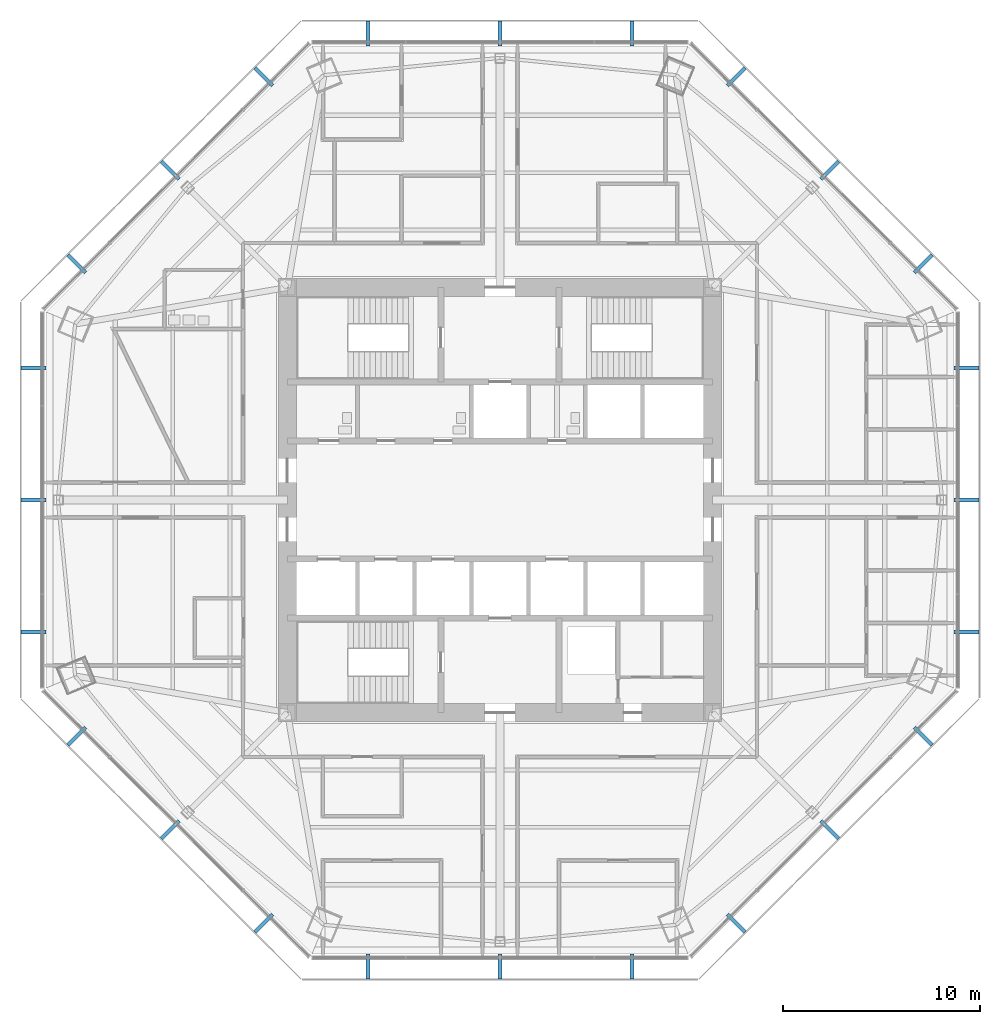
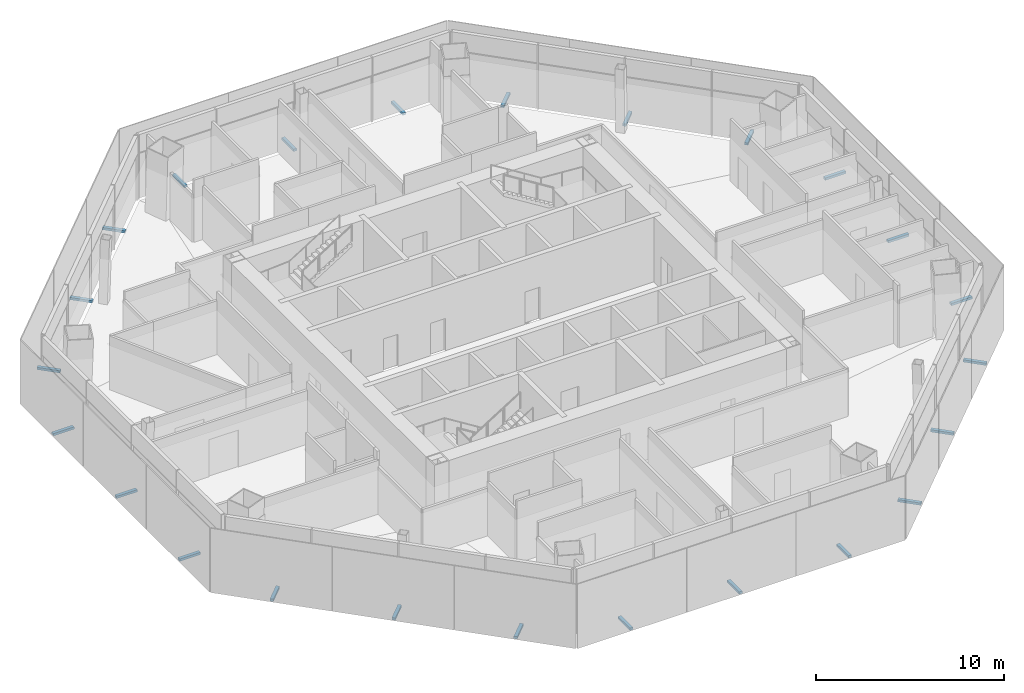
# One storey, part 12 of 15: 24 discrete accessories.
"""IFC4 building model written with IfcOpenShell, lengths in metres."""

from ifc_helpers import new_model, si_unit, direction, frame, origin, origin_2d, place, context, subcontext, project, spatial, rectangle, extrude, source, transform, mapped, material, type_object, type_shapes, element, save


model = new_model("IFC4")

# Units and contexts
model_context = context("Model", 3, precision=1e-05, world=origin(), true_north=direction((0.0, 1.0)))
body_context = subcontext(model_context, "Body", "Model", "MODEL_VIEW")
ifc_project = project(units=[si_unit("LENGTHUNIT", "METRE"), si_unit("AREAUNIT", "SQUARE_METRE"), si_unit("VOLUMEUNIT", "CUBIC_METRE"), si_unit("PLANEANGLEUNIT", "RADIAN"), si_unit("MASSUNIT", "GRAM", prefix="KILO")], contexts=[model_context])

# Site, building, storey
site_placement = place(None, origin())
site = spatial("IfcSite", under=ifc_project, at=site_placement, CompositionType="ELEMENT")
building_placement = place(site_placement, origin())
building = spatial("IfcBuilding", under=site, at=building_placement, Name="Mashrafa Tower", CompositionType="ELEMENT")
storey_placement = place(building_placement, frame((0.0, 0.0, 168.0)))
storey = spatial("IfcBuildingStorey", under=building, at=storey_placement, Name="L38", CompositionType="ELEMENT", Elevation=168.0)

# Discrete accessories
ifc_material = material(Name="Stainless steel screen bracket", Category="steel")
discrete_accessory_type = type_object("IfcDiscreteAccessoryType", Name="Screen support bracket 200 x 150", PredefinedType="BRACKET", material=ifc_material)
shared_shape = source(origin(), body_context, "Body", "SweptSolid", [
    extrude(rectangle(XDim=0.199951171875, YDim=1.27001953125, at=origin_2d()), origin(), (0.0, 0.0, 1.0), 0.14990234375),
])
type_shapes(discrete_accessory_type, [shared_shape])
for number, where, z_axis, x_axis, name in (
    (1, (23.697265625, -6.71240234375, -0.14990234375), (0.0, 0.0, 1.0), (0.0, 1.0, 0.0), "Screen support bracket L38 east 1"),
    (2, (23.697265625, 0.0, -0.14990234375), (0.0, 0.0, 1.0), (0.0, 1.0, 0.0), "Screen support bracket L38 east 2"),
    (3, (23.697265625, 6.71240234375, -0.14990234375), (0.0, 0.0, 1.0), (0.0, 1.0, 0.0), "Screen support bracket L38 east 3"),
    (4, (21.5029296875, 12.010009765625, -0.14990234375), (0.0, 0.0, 1.0), (-0.707106781187, 0.707106781187, 0.0), "Screen support bracket L38 north-east 1"),
    (5, (16.756591796875, 16.756591796875, -0.14990234375), (0.0, 0.0, 1.0), (-0.707106781187, 0.707106781187, 0.0), "Screen support bracket L38 north-east 2"),
    (6, (12.010009765625, 21.5029296875, -0.14990234375), (0.0, 0.0, 1.0), (-0.707106781187, 0.707106781187, 0.0), "Screen support bracket L38 north-east 3"),
    (7, (6.71240234375, 23.697265625, -0.14990234375), (0.0, 0.0, 1.0), (-1.0, 0.0, 0.0), "Screen support bracket L38 north 1"),
    (8, (0.0, 23.697265625, -0.14990234375), (0.0, 0.0, 1.0), (-1.0, 0.0, 0.0), "Screen support bracket L38 north 2"),
    (9, (-6.71240234375, 23.697265625, -0.14990234375), (0.0, 0.0, 1.0), (-1.0, 0.0, 0.0), "Screen support bracket L38 north 3"),
    (10, (-12.010009765625, 21.5029296875, -0.14990234375), (0.0, 0.0, 1.0), (-0.707106781187, -0.707106781187, 0.0), "Screen support bracket L38 north-west 1"),
    (11, (-16.756591796875, 16.756591796875, -0.14990234375), (0.0, 0.0, 1.0), (-0.707106781187, -0.707106781187, 0.0), "Screen support bracket L38 north-west 2"),
    (12, (-21.5029296875, 12.010009765625, -0.14990234375), (0.0, 0.0, 1.0), (-0.707106781187, -0.707106781187, 0.0), "Screen support bracket L38 north-west 3"),
    (13, (-23.697265625, 6.71240234375, -0.14990234375), (0.0, 0.0, 1.0), (0.0, -1.0, 0.0), "Screen support bracket L38 west 1"),
    (14, (-23.697265625, 0.0, -0.14990234375), (0.0, 0.0, 1.0), (0.0, -1.0, 0.0), "Screen support bracket L38 west 2"),
    (15, (-23.697265625, -6.71240234375, -0.14990234375), (0.0, 0.0, 1.0), (0.0, -1.0, 0.0), "Screen support bracket L38 west 3"),
    (16, (-21.5029296875, -12.010009765625, -0.14990234375), (0.0, 0.0, 1.0), (0.707106781187, -0.707106781187, 0.0), "Screen support bracket L38 south-west 1"),
    (17, (-16.756591796875, -16.756591796875, -0.14990234375), (0.0, 0.0, 1.0), (0.707106781187, -0.707106781187, 0.0), "Screen support bracket L38 south-west 2"),
    (18, (-12.010009765625, -21.5029296875, -0.14990234375), (0.0, 0.0, 1.0), (0.707106781187, -0.707106781187, 0.0), "Screen support bracket L38 south-west 3"),
    (19, (-6.71240234375, -23.697265625, -0.14990234375), (0.0, 0.0, 1.0), (1.0, 0.0, 0.0), "Screen support bracket L38 south 1"),
    (20, (0.0, -23.697265625, -0.14990234375), (0.0, 0.0, 1.0), (1.0, 0.0, 0.0), "Screen support bracket L38 south 2"),
    (21, (6.71240234375, -23.697265625, -0.14990234375), (0.0, 0.0, 1.0), (1.0, 0.0, 0.0), "Screen support bracket L38 south 3"),
    (22, (12.010009765625, -21.5029296875, -0.14990234375), (0.0, 0.0, 1.0), (0.707106781187, 0.707106781187, 0.0), "Screen support bracket L38 south-east 1"),
    (23, (16.756591796875, -16.756591796875, -0.14990234375), (0.0, 0.0, 1.0), (0.707106781187, 0.707106781187, 0.0), "Screen support bracket L38 south-east 2"),
    (24, (21.5029296875, -12.010009765625, -0.14990234375), (0.0, 0.0, 1.0), (0.707106781187, 0.707106781187, 0.0), "Screen support bracket L38 south-east 3"),
):
    element("IfcDiscreteAccessory", number, at=place(storey_placement, frame(where, z_axis=z_axis, x_axis=x_axis)), inside=storey, type_object=discrete_accessory_type, Name=name, PredefinedType="BRACKET", context=body_context, shape_type="MappedRepresentation", body=[
        mapped(shared_shape, transform((0.0, 0.0, 0.0))),
    ])

save(model, "model.ifc")
